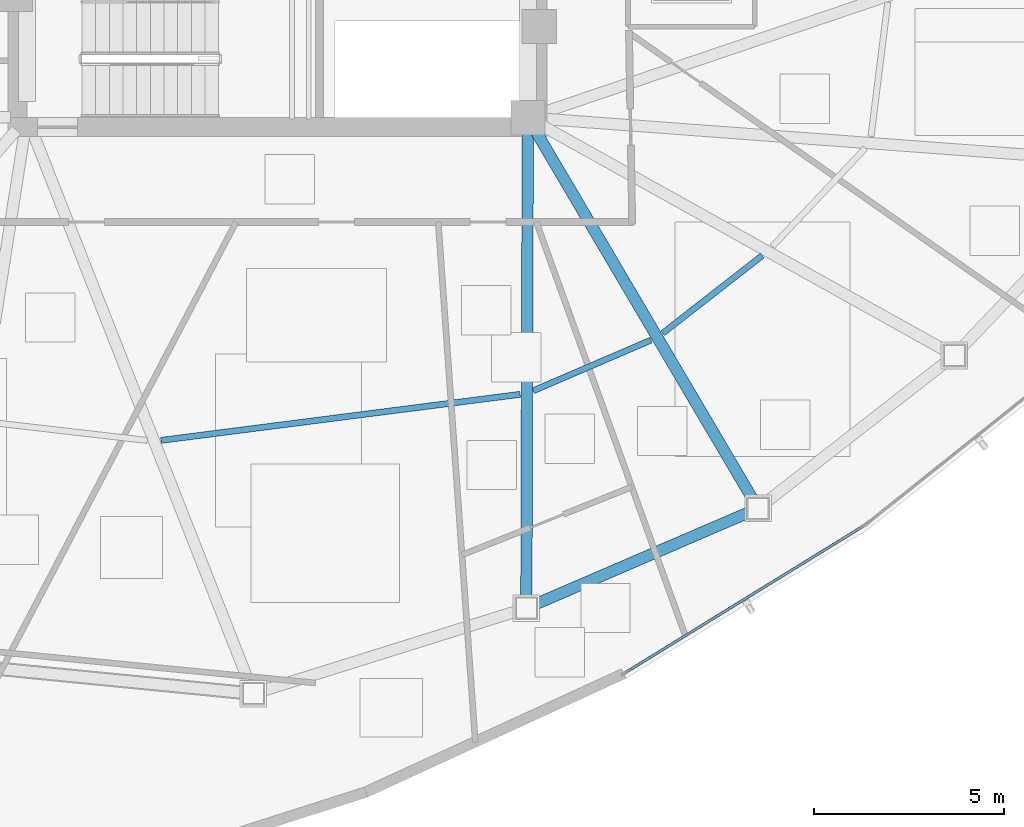
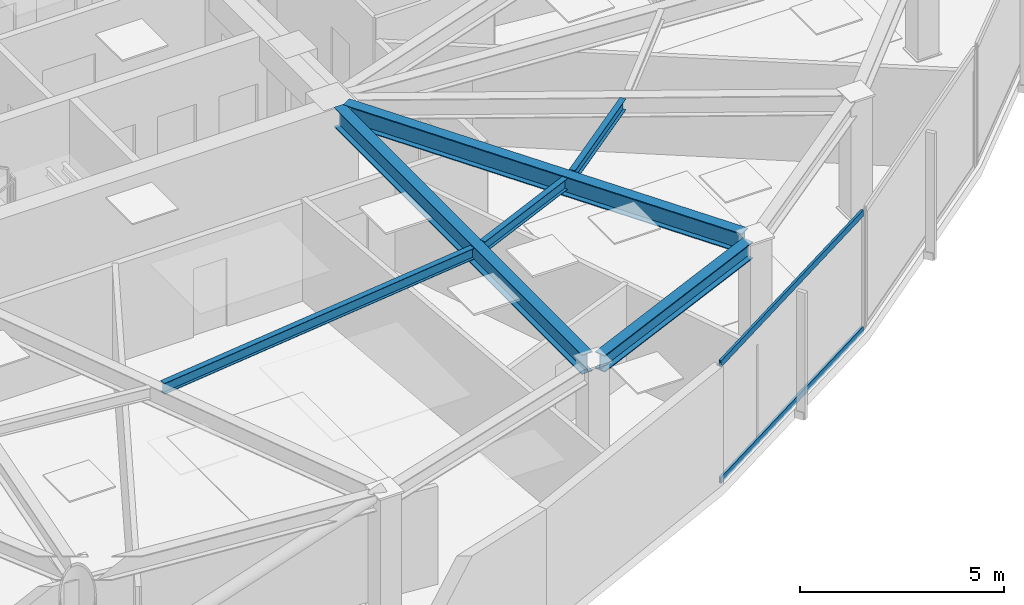
# One storey, part 3 of 18: 6 beams, 2 members, 1 element without a shape of its own.
"""IFC4 building model written with IfcOpenShell, lengths in metres."""

from ifc_helpers import new_model, si_unit, direction, frame, origin, origin_2d, place, context, subcontext, project, spatial, hollow_rectangle, i_section, extrude, source, transform, mapped, material, layer, layer_set, material_profile, profile_set, type_object, type_shapes, element, aggregate, save


model = new_model("IFC4")

# Units and contexts
model_context = context("Model", 3, precision=1e-05, world=origin(), true_north=direction((0.0, 1.0)))
body_context = subcontext(model_context, "Body", "Model", "MODEL_VIEW")
ifc_project = project(units=[si_unit("LENGTHUNIT", "METRE"), si_unit("AREAUNIT", "SQUARE_METRE"), si_unit("VOLUMEUNIT", "CUBIC_METRE"), si_unit("PLANEANGLEUNIT", "RADIAN"), si_unit("MASSUNIT", "GRAM", prefix="KILO")], contexts=[model_context])

# Site, building, storey
site_placement = place(None, origin())
site = spatial("IfcSite", under=ifc_project, at=site_placement, CompositionType="ELEMENT")
building_placement = place(site_placement, origin())
building = spatial("IfcBuilding", under=site, at=building_placement, Name="Tavelor Broadcast Tower", CompositionType="ELEMENT")
storey_placement = place(building_placement, frame((0.0, 0.0, 181.050048828125)))
storey = spatial("IfcBuildingStorey", under=building, at=storey_placement, Name="L43", CompositionType="ELEMENT", Elevation=181.050048828125)

# Beams
ifc_material_1 = material(Name="Steel S355", Category="steel")
ifc_material_profile_1 = material_profile(ifc_material_1, i_section(OverallWidth=0.159912109375, OverallDepth=0.330078125, WebThickness=0.007568359375, FlangeThickness=0.011474609375, at=origin_2d()), Name="IPE 330")
ifc_profile_set_1 = profile_set([ifc_material_profile_1], Name="Steel S355")
beam_type_1 = type_object("IfcBeamType", Name="Composite Floor Joist T4 IPE 330", PredefinedType="JOIST", material=ifc_profile_set_1)
beam_1_placement = place(storey_placement, frame((46.931396484375, 30.294921875, 3.385009765625), z_axis=(0.991879761862, 0.127179157129, 0.0), x_axis=(-0.127179157129, 0.991879761862, 0.0)))
element("IfcBeam", 1, at=beam_1_placement, inside=storey, type_object=beam_type_1, Name="L43 Secondary Composite Floor Joist 08", PredefinedType="JOIST", context=body_context, shape_type="SweptSolid", body=[
    extrude(i_section(OverallWidth=0.159912109375, OverallDepth=0.330078125, WebThickness=0.007568359375, FlangeThickness=0.011474609375, at=origin_2d()), origin(), (0.0, 0.0, 1.0), 9.54443359375),
])
beam_2_placement = place(storey_placement, frame((56.744384765625, 31.603515625, 3.385009765625), z_axis=(0.918692008618, 0.394974674254, 0.0), x_axis=(-0.394974674254, 0.918692008618, 0.0)))
element("IfcBeam", 2, at=beam_2_placement, inside=storey, type_object=beam_type_1, Name="L43 Secondary Composite Floor Joist 09", PredefinedType="JOIST", context=body_context, shape_type="SweptSolid", body=[
    extrude(i_section(OverallWidth=0.159912109375, OverallDepth=0.330078125, WebThickness=0.007568359375, FlangeThickness=0.011474609375, at=origin_2d()), origin(), (0.0, 0.0, 1.0), 3.37744140625),
])
beam_3_placement = place(storey_placement, frame((60.156005859375, 33.120361328125, 3.385009765625), z_axis=(0.788651848012, 0.614840030112, 0.0), x_axis=(-0.614840030112, 0.788651848012, 0.0)))
element("IfcBeam", 3, at=beam_3_placement, inside=storey, type_object=beam_type_1, Name="L43 Secondary Composite Floor Joist 10", PredefinedType="JOIST", context=body_context, shape_type="SweptSolid", body=[
    extrude(i_section(OverallWidth=0.159912109375, OverallDepth=0.330078125, WebThickness=0.007568359375, FlangeThickness=0.011474609375, at=origin_2d()), origin(), (0.0, 0.0, 1.0), 3.32470703125),
])
ifc_material_profile_2 = material_profile(ifc_material_1, i_section(OverallWidth=0.300048828125, OverallDepth=0.5, WebThickness=0.014404296875, FlangeThickness=0.028076171875, at=origin_2d()), Name="HEB 500")
ifc_profile_set_2 = profile_set([ifc_material_profile_2], Name="Steel S355")
beam_type_2 = type_object("IfcBeamType", Name="Perimeter Spandrel Beam T4 HEB 500", PredefinedType="SPANDREL", material=ifc_profile_set_2)
beam_4_placement = place(storey_placement, frame((56.825439453125, 25.98681640625, 3.300048828125), z_axis=(0.91846180915, 0.395509677672, 0.0), x_axis=(-0.395509677672, 0.91846180915, 0.0)))
element("IfcBeam", 4, at=beam_4_placement, inside=storey, type_object=beam_type_2, Name="L43 Framed-Tube Ring Spandrel 09", PredefinedType="SPANDREL", context=body_context, shape_type="SweptSolid", body=[
    extrude(i_section(OverallWidth=0.300048828125, OverallDepth=0.5, WebThickness=0.014404296875, FlangeThickness=0.028076171875, at=origin_2d()), origin(), (0.0, 0.0, 1.0), 6.07470703125),
])
ifc_material_profile_3 = material_profile(ifc_material_1, i_section(OverallWidth=0.300048828125, OverallDepth=0.590087890625, WebThickness=0.012939453125, FlangeThickness=0.02490234375, at=origin_2d()), Name="HEA 600")
ifc_profile_set_3 = profile_set([ifc_material_profile_3], Name="Steel S355")
beam_type_3 = type_object("IfcBeamType", Name="Radial Floor Girder T4 HEA 600", PredefinedType="BEAM", material=ifc_profile_set_3)
beam_5_placement = place(storey_placement, frame((56.5986328125, 38.367919921875, 3.2548828125), z_axis=(-0.0029999865, -0.99999550003, 0.0), x_axis=(0.99999550003, -0.0029999865, 0.0)))
element("IfcBeam", 5, at=beam_5_placement, inside=storey, type_object=beam_type_3, Name="L43 Radial Primary Floor Girder 09", PredefinedType="BEAM", context=body_context, shape_type="SweptSolid", body=[
    extrude(i_section(OverallWidth=0.300048828125, OverallDepth=0.590087890625, WebThickness=0.012939453125, FlangeThickness=0.02490234375, at=origin_2d()), origin(), (0.0, 0.0, 1.0), 12.20703125),
])
beam_6_placement = place(storey_placement, frame((56.8193359375, 38.427734375, 3.2548828125), z_axis=(0.50778362975, -0.861484640233, 0.0), x_axis=(0.861484640233, 0.50778362975, 0.0)))
element("IfcBeam", 6, at=beam_6_placement, inside=storey, type_object=beam_type_3, Name="L43 Radial Primary Floor Girder 10", PredefinedType="BEAM", context=body_context, shape_type="SweptSolid", body=[
    extrude(i_section(OverallWidth=0.300048828125, OverallDepth=0.590087890625, WebThickness=0.012939453125, FlangeThickness=0.02490234375, at=origin_2d()), origin(), (0.0, 0.0, 1.0), 11.232421875),
])

# Curtain wall, members
ifc_material_2 = material(Name="Architectural Anodized Aluminium", Category="aluminium")
ifc_layer = layer(ifc_material_2, 0.18994140625)
ifc_layer_set = layer_set([ifc_layer], Name="Architectural Anodized Aluminium")
curtain_wall_type = type_object("IfcCurtainWallType", Name="Tower Mid-Zone Acoustic Curtain Wall CW03", PredefinedType="NOTDEFINED", material=ifc_layer_set)
curtain_wall_placement = place(storey_placement, origin())
curtain_wall = element("IfcCurtainWall", 7, at=curtain_wall_placement, inside=storey, type_object=curtain_wall_type, Name="L43 Curtain Wall CW03 Run 461", PredefinedType="NOTDEFINED")
ifc_material_profile_4 = material_profile(ifc_material_2, hollow_rectangle(XDim=0.068115234375, YDim=0.18994140625, WallThickness=0.02197265625, at=origin_2d()), Name="RHS 68x190x22")
ifc_profile_set_4 = profile_set([ifc_material_profile_4], Name="Architectural Anodized Aluminium")
member_type = type_object("IfcMemberType", Name="CW03 Extruded Aluminium Transom 68x190", PredefinedType="USERDEFINED", material=ifc_profile_set_4)
shared_shape = source(origin(), body_context, "Body", "SweptSolid", [
    extrude(hollow_rectangle(XDim=0.068115234375, YDim=0.18994140625, WallThickness=0.02197265625, at=origin_2d()), origin(), (0.0, 0.0, 1.0), 7.33642578125),
])
type_shapes(member_type, [shared_shape])
member_1_placement = place(storey_placement, frame((59.18017578125, 24.1806640625, 0.033935546875), z_axis=(0.851492596634, 0.524366625441, 0.0), x_axis=(-0.524366625441, 0.851492596634, 0.0)))
member_1 = element("IfcMember", 8, at=member_1_placement, type_object=member_type, Name="CW03 transom 1.1", ObjectType="TRANSOM", PredefinedType="USERDEFINED", context=body_context, shape_type="MappedRepresentation", body=[
    mapped(shared_shape, transform((0.0, 0.0, 0.0), scale=1.0)),
])
member_2_placement = place(storey_placement, frame((59.18017578125, 24.1806640625, 3.515869140625), z_axis=(0.851492596634, 0.524366625441, 0.0), x_axis=(-0.524366625441, 0.851492596634, 0.0)))
member_2 = element("IfcMember", 9, at=member_2_placement, type_object=member_type, Name="CW03 transom 1.2", ObjectType="TRANSOM", PredefinedType="USERDEFINED", context=body_context, shape_type="MappedRepresentation", body=[
    mapped(shared_shape, transform((0.0, 0.0, 0.0), scale=1.0)),
])
aggregate(curtain_wall, [member_1, member_2])

save(model, "model.ifc")
